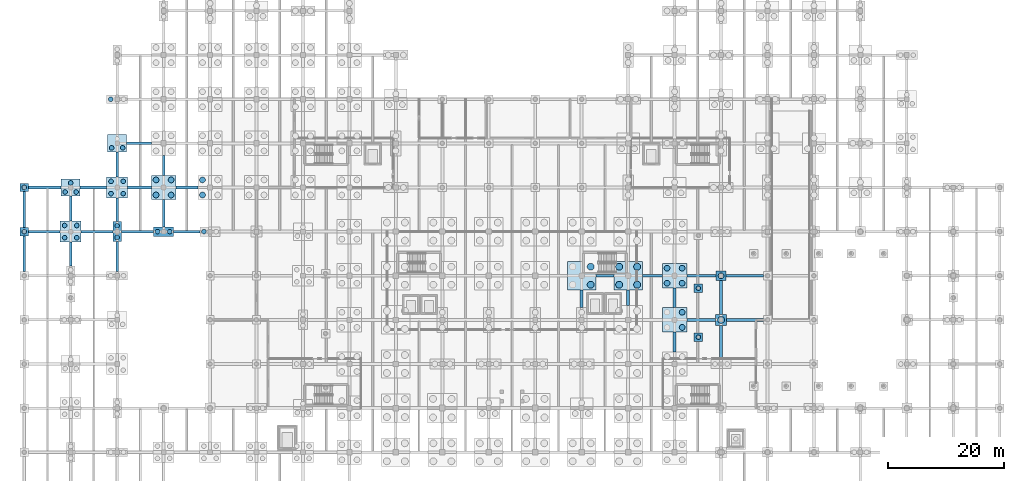
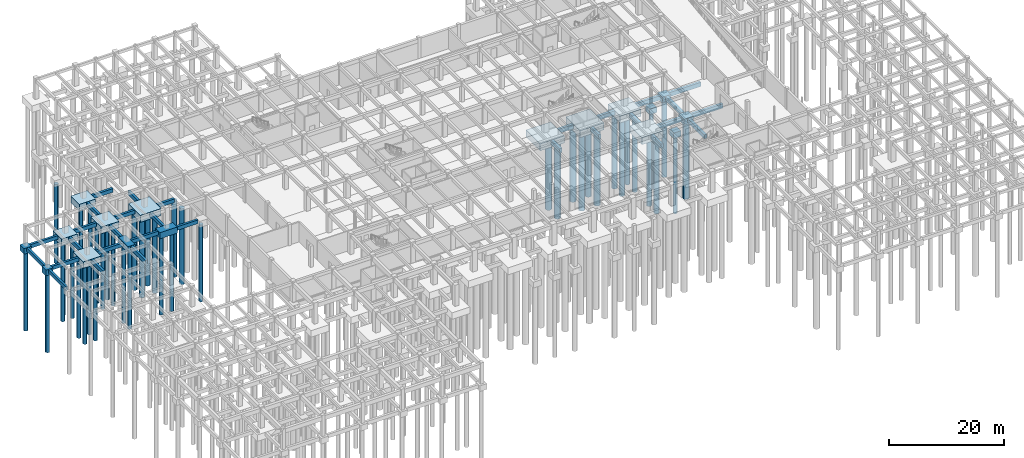
# One storey, part 7 of 49: 47 footings, 43 piles.
"""IFC4 building model written with IfcOpenShell, lengths in metres."""

import ifcopenshell
import ifcopenshell.guid

model = None  # the IFC model being written
_history = None  # IfcOwnerHistory: only IFC2X3 demands one
_inside = {}  # id of a spatial element -> (the spatial element, [elements in it])
_under = {}  # id of a project, library or spatial element -> (it, [spatial elements below it])
_declared = {}  # id of a project -> (the project, [libraries it declares])
_typed = {}  # id of a type object -> (the type object, [elements of that type])
_made_of = {}  # id of a material, layer set ... -> (it, [elements and type objects made of it])


def new_model(schema):
    """Start an empty IFC model of exactly this schema.

    Asked for "IFC4X3", IfcOpenShell would pick the latest addendum, in which some entities
    have other attributes; the version numbers below select the first issue.
    IFC2X3 requires an IfcOwnerHistory on every rooted entity: one is made here for all.
    """
    global model, _history
    if schema == "IFC4X3":
        model = ifcopenshell.file(schema_version=(4, 3, 0, 0))
    else:
        model = ifcopenshell.file(schema=schema)
    _inside.clear()
    _under.clear()
    _declared.clear()
    _typed.clear()
    _made_of.clear()
    _history = None
    if model.schema == "IFC2X3":
        org = make("IfcOrganization", Name="unknown")
        user = make(
            "IfcPersonAndOrganization",
            ThePerson=make("IfcPerson", FamilyName="unknown"),
            TheOrganization=org,
        )
        app = make(
            "IfcApplication",
            ApplicationDeveloper=org,
            Version="unknown",
            ApplicationFullName="unknown",
            ApplicationIdentifier="unknown",
        )
        _history = make(
            "IfcOwnerHistory",
            OwningUser=user,
            OwningApplication=app,
            ChangeAction="ADDED",
            CreationDate=0,
        )
    return model


def make(cls, **values):
    """One entity of the class cls with the attributes given. An attribute that is None is left unset."""
    return model.create_entity(
        cls, **{name: value for name, value in values.items() if value is not None}
    )


def rooted(cls, **values):
    """An entity with a GlobalId (a new one), such as an element, a storey or a relation."""
    return make(cls, GlobalId=ifcopenshell.guid.new(), OwnerHistory=_history, **values)


def si_unit(unit_type, name, prefix=None):
    """IfcSIUnit, for example si_unit("LENGTHUNIT", "METRE", prefix="MILLI")."""
    return make("IfcSIUnit", UnitType=unit_type, Prefix=prefix, Name=name)


def assignment(units):
    """IfcUnitAssignment: the units of a project."""
    return None if units is None else make("IfcUnitAssignment", Units=units)


def point(xyz):
    """IfcCartesianPoint."""
    return None if xyz is None else make("IfcCartesianPoint", Coordinates=xyz)


def direction(xyz):
    """IfcDirection."""
    return None if xyz is None else make("IfcDirection", DirectionRatios=xyz)


def frame(location, z_axis=None, x_axis=None):
    """IfcAxis2Placement3D, a coordinate frame: its origin and axes. An axis left out is left unset."""
    return make(
        "IfcAxis2Placement3D",
        Location=point(location),
        Axis=direction(z_axis),
        RefDirection=direction(x_axis),
    )


def frame_2d(location, x_axis=None):
    """IfcAxis2Placement2D, a coordinate frame in the plane: its origin and x axis."""
    return make(
        "IfcAxis2Placement2D", Location=point(location), RefDirection=direction(x_axis)
    )


def origin():
    """The frame at (0, 0, 0) with its axes left unset."""
    return frame((0.0, 0.0, 0.0))


def origin_2d():
    """The frame at (0, 0) in the plane with its x axis left unset."""
    return frame_2d((0.0, 0.0))


def place(relative_to, where):
    """IfcLocalPlacement: puts the frame where relative to a parent placement (None: the world)."""
    return make(
        "IfcLocalPlacement", PlacementRelTo=relative_to, RelativePlacement=where
    )


def context(
    kind, dimensions, precision=None, world=None, true_north=None, identifier=None
):
    """IfcGeometricRepresentationContext, for example the 3D "Model" context."""
    return make(
        "IfcGeometricRepresentationContext",
        ContextIdentifier=identifier,
        ContextType=kind,
        CoordinateSpaceDimension=dimensions,
        Precision=precision,
        WorldCoordinateSystem=world,
        TrueNorth=true_north,
    )


def subcontext(parent, identifier, kind, view, scale=None):
    """IfcGeometricRepresentationSubContext, for example "Body" below "Model"."""
    return make(
        "IfcGeometricRepresentationSubContext",
        ContextIdentifier=identifier,
        ContextType=kind,
        ParentContext=parent,
        TargetScale=scale,
        TargetView=view,
    )


def project(units=None, contexts=None):
    """IfcProject with its units and contexts."""
    return rooted(
        "IfcProject",
        Name="project",
        RepresentationContexts=contexts,
        UnitsInContext=assignment(units),
    )


def spatial(cls, under=None, at=None, **own):
    """A site, building, storey or space (cls), placed at a placement, below another one or the project."""
    s = rooted(cls, ObjectPlacement=at, **own)
    if under is not None:
        _under.setdefault(under.id(), (under, []))[1].append(s)
    return s


def profile(cls, at=None, kind="AREA", **sizes):
    """A parametric profile (cls). Its sizes go by their IFC names, for example OverallWidth=200.0."""
    return make(cls, ProfileType=kind, Position=at, **sizes)


def rectangle(**sizes):
    """IfcRectangleProfileDef."""
    return profile("IfcRectangleProfileDef", **sizes)


def circle(**sizes):
    """IfcCircleProfileDef."""
    return profile("IfcCircleProfileDef", **sizes)


def extrude(swept, where, along, depth):
    """IfcExtrudedAreaSolid: the profile swept, set in the frame where, extruded along a direction by depth."""
    return make(
        "IfcExtrudedAreaSolid",
        SweptArea=swept,
        Position=where,
        ExtrudedDirection=direction(along),
        Depth=depth,
    )


def shape(context_of_items, identifier, shape_type, items):
    """IfcShapeRepresentation: the items that make up one representation, for example the "Body"."""
    return make(
        "IfcShapeRepresentation",
        ContextOfItems=context_of_items,
        RepresentationIdentifier=identifier,
        RepresentationType=shape_type,
        Items=items,
    )


def material(Name=None, Category=None):
    """IfcMaterial."""
    return make("IfcMaterial", Name=Name, Category=Category)


def layer(
    of_material, thickness, ventilated=None, Name=None, Category=None, Priority=None
):
    """IfcMaterialLayer: one layer of a wall or slab, of a material (None: an air gap)."""
    return make(
        "IfcMaterialLayer",
        Material=of_material,
        LayerThickness=thickness,
        IsVentilated=ventilated,
        Name=Name,
        Category=Category,
        Priority=Priority,
    )


def layer_set(layers, Name=None):
    """IfcMaterialLayerSet."""
    return make("IfcMaterialLayerSet", MaterialLayers=layers, LayerSetName=Name)


def material_profile(
    of_material, cross_section, Name=None, Category=None, Priority=None
):
    """IfcMaterialProfile: a cross section and its material."""
    return make(
        "IfcMaterialProfile",
        Name=Name,
        Material=of_material,
        Profile=cross_section,
        Priority=Priority,
        Category=Category,
    )


def profile_set(profiles, Name=None, composite=None):
    """IfcMaterialProfileSet."""
    return make(
        "IfcMaterialProfileSet",
        Name=Name,
        MaterialProfiles=profiles,
        CompositeProfile=composite,
    )


def made_of(thing, what):
    """Note that an element or type object is made of a material, layer set ...; save() writes the relation."""
    if what is not None:
        _made_of.setdefault(what.id(), (what, []))[1].append(thing)
    return thing


def type_object(cls, material=None, **own):
    """A type object (cls), such as IfcWallType, which elements share."""
    return made_of(rooted(cls, **own), material)


def element(
    cls,
    number,
    at=None,
    inside=None,
    cuts=None,
    type_object=None,
    material=None,
    context=None,
    identifier="Body",
    shape_type=None,
    held_by="IfcProductDefinitionShape",
    body=None,
    shapes=None,
    **own,
):
    """One element of the class cls, such as IfcWall. Its Tag is "e" and its number.

    at: its placement. inside: the storey or other place that contains it. cuts: it is an
    opening in that element (IfcRelVoidsElement). A single representation is given by context,
    identifier, shape_type and body (its items); several are given by shapes. held_by: the class
    of the entity that holds the representations. save() writes the other relations.
    """
    e = rooted(cls, Tag="e%d" % number, ObjectPlacement=at, **own)
    if body is not None:
        shapes = [shape(context, identifier, shape_type, body)]
    if shapes is not None:
        e.Representation = make(held_by, Representations=shapes)
    if inside is not None:
        _inside.setdefault(inside.id(), (inside, []))[1].append(e)
    if cuts is not None:
        rooted(
            "IfcRelVoidsElement", RelatingBuildingElement=cuts, RelatedOpeningElement=e
        )
    if type_object is not None:
        _typed.setdefault(type_object.id(), (type_object, []))[1].append(e)
    return made_of(e, material)


def aggregate(whole, parts):
    """IfcRelAggregates: a whole, such as a stair, and the parts it consists of."""
    return rooted("IfcRelAggregates", RelatingObject=whole, RelatedObjects=parts)


def save(model, path):
    """Write the relations noted so far, then the file.

    IfcRelAggregates (storeys below a building ...), IfcRelContainedInSpatialStructure (elements
    in a storey), IfcRelDefinesByType, IfcRelAssociatesMaterial and IfcRelDeclares: one each for
    every whole, place, type object, material and project.
    """
    for whole, parts in _under.values():
        aggregate(whole, parts)
    for where, things in _inside.values():
        rooted(
            "IfcRelContainedInSpatialStructure",
            RelatedElements=things,
            RelatingStructure=where,
        )
    for kind, things in _typed.values():
        rooted("IfcRelDefinesByType", RelatedObjects=things, RelatingType=kind)
    for what, things in _made_of.values():
        rooted("IfcRelAssociatesMaterial", RelatedObjects=things, RelatingMaterial=what)
    for by, libraries in _declared.values():
        rooted("IfcRelDeclares", RelatingContext=by, RelatedDefinitions=libraries)
    model.write(path)


model = new_model("IFC4")

# Units and contexts
model_context = context("Model", 3, precision=1e-05, world=origin(), true_north=direction((0.0, 1.0)))
body_context = subcontext(model_context, "Body", "Model", "MODEL_VIEW")
ifc_project = project(units=[si_unit("LENGTHUNIT", "METRE"), si_unit("AREAUNIT", "SQUARE_METRE"), si_unit("VOLUMEUNIT", "CUBIC_METRE"), si_unit("PLANEANGLEUNIT", "RADIAN"), si_unit("MASSUNIT", "GRAM", prefix="KILO")], contexts=[model_context])

# Site, building, storey
site_placement = place(None, origin())
site = spatial("IfcSite", under=ifc_project, at=site_placement, CompositionType="ELEMENT")
building_placement = place(site_placement, origin())
building = spatial("IfcBuilding", under=site, at=building_placement, Name="Zantavel Square City Hall", CompositionType="ELEMENT")
storey_placement = place(building_placement, frame((0.0, 0.0, -4.5)))
storey = spatial("IfcBuildingStorey", under=building, at=storey_placement, Name="B1", CompositionType="ELEMENT", Elevation=-4.5)

# Piles
ifc_material_1 = material(Name="Concrete C35/45", Category="concrete")
ifc_material_profile_1 = material_profile(ifc_material_1, circle(Radius=0.5, at=origin_2d()), Name="PILE D1000")
ifc_profile_set_1 = profile_set([ifc_material_profile_1], Name="Concrete C35/45")
pile_type_1 = type_object("IfcPileType", Name="Bored Pile D1000 Concrete C35/45", PredefinedType="BORED", material=ifc_profile_set_1)
for number, where, z_axis, x_axis, name in (
    (1, (22.699951171875, 74.699951171875, -1.39990234375), (0.0, 0.0, -1.0), (1.0, 0.0, 0.0), "Bored Pile FDN-PL-0240-0760-1"),
    (2, (25.300048828125, 74.699951171875, -1.39990234375), (0.0, 0.0, -1.0), (1.0, 0.0, 0.0), "Bored Pile FDN-PL-0240-0760-2"),
    (3, (22.699951171875, 77.300048828125, -1.39990234375), (0.0, 0.0, -1.0), (1.0, 0.0, 0.0), "Bored Pile FDN-PL-0240-0760-3"),
    (4, (25.300048828125, 77.300048828125, -1.39990234375), (0.0, 0.0, -1.0), (1.0, 0.0, 0.0), "Bored Pile FDN-PL-0240-0760-4"),
):
    element("IfcPile", number, at=place(storey_placement, frame(where, z_axis=z_axis, x_axis=x_axis)), inside=storey, type_object=pile_type_1, Name=name, PredefinedType="BORED", context=body_context, shape_type="SweptSolid", body=[
        extrude(circle(Radius=0.5, at=origin_2d()), origin(), (0.0, 0.0, 1.0), 16.60009765625),
    ])
for number, where, z_axis, x_axis, name in (
    (5, (30.699951171875, 74.699951171875, -1.800048828125), (0.0, 0.0, -1.0), (1.0, 0.0, 0.0), "Bored Pile FDN-PL-0320-0760-1"),
    (6, (30.699951171875, 77.300048828125, -1.800048828125), (0.0, 0.0, -1.0), (1.0, 0.0, 0.0), "Bored Pile FDN-PL-0320-0760-3"),
    (7, (113.300048828125, 51.89990234375, -1.800048828125), (0.0, 0.0, -1.0), (1.0, 0.0, 0.0), "Bored Pile FDN-PL-1120-0532-2"),
    (8, (113.300048828125, 54.5, -1.800048828125), (0.0, 0.0, -1.0), (1.0, 0.0, 0.0), "Bored Pile FDN-PL-1120-0532-4"),
    (9, (110.699951171875, 59.5, -1.800048828125), (0.0, 0.0, -1.0), (1.0, 0.0, 0.0), "Bored Pile FDN-PL-1120-0608-1"),
    (10, (113.300048828125, 59.5, -1.800048828125), (0.0, 0.0, -1.0), (1.0, 0.0, 0.0), "Bored Pile FDN-PL-1120-0608-2"),
    (11, (110.699951171875, 62.10009765625, -1.800048828125), (0.0, 0.0, -1.0), (1.0, 0.0, 0.0), "Bored Pile FDN-PL-1120-0608-3"),
    (12, (113.300048828125, 62.10009765625, -1.800048828125), (0.0, 0.0, -1.0), (1.0, 0.0, 0.0), "Bored Pile FDN-PL-1120-0608-4"),
):
    element("IfcPile", number, at=place(storey_placement, frame(where, z_axis=z_axis, x_axis=x_axis)), inside=storey, type_object=pile_type_1, Name=name, PredefinedType="BORED", context=body_context, shape_type="SweptSolid", body=[
        extrude(circle(Radius=0.5, at=origin_2d()), origin(), (0.0, 0.0, 1.0), 16.199951171875),
    ])
pile_1_placement = place(storey_placement, frame((120.0, 60.800048828125, -1.550048828125), z_axis=(0.0, 0.0, -1.0), x_axis=(1.0, 0.0, 0.0)))
element("IfcPile", 13, at=pile_1_placement, inside=storey, type_object=pile_type_1, Name="Bored Pile FDN-PL-1200-0608-1", PredefinedType="BORED", context=body_context, shape_type="SweptSolid", body=[
    extrude(circle(Radius=0.5, at=origin_2d()), origin(), (0.0, 0.0, 1.0), 16.449951171875),
])
ifc_material_profile_2 = material_profile(ifc_material_1, circle(Radius=0.60009765625, at=origin_2d()), Name="PILE D1200")
ifc_profile_set_2 = profile_set([ifc_material_profile_2], Name="Concrete C35/45")
pile_type_2 = type_object("IfcPileType", Name="Bored Pile D1200 Concrete C35/45", PredefinedType="BORED", material=ifc_profile_set_2)
for number, where, z_axis, x_axis, name in (
    (14, (97.550048828125, 59.25, -1.800048828125), (0.0, 0.0, -1.0), (1.0, 0.0, 0.0), "Bored Pile FDN-PL-0960-0608-2"),
    (15, (97.550048828125, 62.35009765625, -1.800048828125), (0.0, 0.0, -1.0), (1.0, 0.0, 0.0), "Bored Pile FDN-PL-0960-0608-4"),
    (16, (102.449951171875, 59.25, -1.800048828125), (0.0, 0.0, -1.0), (1.0, 0.0, 0.0), "Bored Pile FDN-PL-1040-0608-1"),
    (17, (105.550048828125, 59.25, -1.800048828125), (0.0, 0.0, -1.0), (1.0, 0.0, 0.0), "Bored Pile FDN-PL-1040-0608-2"),
    (18, (102.449951171875, 62.35009765625, -1.800048828125), (0.0, 0.0, -1.0), (1.0, 0.0, 0.0), "Bored Pile FDN-PL-1040-0608-3"),
    (19, (105.550048828125, 62.35009765625, -1.800048828125), (0.0, 0.0, -1.0), (1.0, 0.0, 0.0), "Bored Pile FDN-PL-1040-0608-4"),
):
    element("IfcPile", number, at=place(storey_placement, frame(where, z_axis=z_axis, x_axis=x_axis)), inside=storey, type_object=pile_type_2, Name=name, PredefinedType="BORED", context=body_context, shape_type="SweptSolid", body=[
        extrude(circle(Radius=0.60009765625, at=origin_2d()), origin(), (0.0, 0.0, 1.0), 16.199951171875),
    ])
pile_2_placement = place(storey_placement, frame((120.0, 53.199951171875, -1.60009765625), z_axis=(0.0, 0.0, -1.0), x_axis=(1.0, 0.0, 0.0)))
element("IfcPile", 20, at=pile_2_placement, inside=storey, type_object=pile_type_2, Name="Bored Pile FDN-PL-1200-0532-1", PredefinedType="BORED", context=body_context, shape_type="SweptSolid", body=[
    extrude(circle(Radius=0.60009765625, at=origin_2d()), origin(), (0.0, 0.0, 1.0), 16.39990234375),
])
ifc_material_profile_3 = material_profile(ifc_material_1, circle(Radius=0.39990234375, at=origin_2d()), Name="PILE D800")
ifc_profile_set_3 = profile_set([ifc_material_profile_3], Name="Concrete C35/45")
pile_type_3 = type_object("IfcPileType", Name="Bored Pile D800 Concrete C35/45", PredefinedType="BORED", material=ifc_profile_set_3)
for number, where, z_axis, x_axis, name in (
    (21, (0.0, 68.39990234375, -1.10009765625), (0.0, 0.0, -1.0), (1.0, 0.0, 0.0), "Bored Pile FDN-PL-0000-0684-1"),
    (22, (0.0, 76.0, -1.10009765625), (0.0, 0.0, -1.0), (1.0, 0.0, 0.0), "Bored Pile FDN-PL-0000-0760-1"),
):
    element("IfcPile", number, at=place(storey_placement, frame(where, z_axis=z_axis, x_axis=x_axis)), inside=storey, type_object=pile_type_3, Name=name, PredefinedType="BORED", context=body_context, shape_type="SweptSolid", body=[
        extrude(circle(Radius=0.39990234375, at=origin_2d()), origin(), (0.0, 0.0, 1.0), 16.89990234375),
    ])
for number, where, z_axis, x_axis, name in (
    (23, (6.949951171875, 67.35009765625, -1.300048828125), (0.0, 0.0, -1.0), (1.0, 0.0, 0.0), "Bored Pile FDN-PL-0080-0684-1"),
    (24, (9.050048828125, 67.35009765625, -1.300048828125), (0.0, 0.0, -1.0), (1.0, 0.0, 0.0), "Bored Pile FDN-PL-0080-0684-2"),
    (25, (6.949951171875, 69.449951171875, -1.300048828125), (0.0, 0.0, -1.0), (1.0, 0.0, 0.0), "Bored Pile FDN-PL-0080-0684-3"),
    (26, (9.050048828125, 69.449951171875, -1.300048828125), (0.0, 0.0, -1.0), (1.0, 0.0, 0.0), "Bored Pile FDN-PL-0080-0684-4"),
):
    element("IfcPile", number, at=place(storey_placement, frame(where, z_axis=z_axis, x_axis=x_axis)), inside=storey, type_object=pile_type_3, Name=name, PredefinedType="BORED", context=body_context, shape_type="SweptSolid", body=[
        extrude(circle(Radius=0.39990234375, at=origin_2d()), origin(), (0.0, 0.0, 1.0), 16.699951171875),
    ])
for number, where, z_axis, x_axis, name in (
    (27, (7.050048828125, 75.219970703125, -1.25), (0.0, 0.0, -1.0), (1.0, 0.0, 0.0), "Bored Pile FDN-PL-0080-0760-1"),
    (28, (8.949951171875, 75.219970703125, -1.25), (0.0, 0.0, -1.0), (1.0, 0.0, 0.0), "Bored Pile FDN-PL-0080-0760-2"),
    (29, (8.0, 76.780029296875, -1.25), (0.0, 0.0, -1.0), (1.0, 0.0, 0.0), "Bored Pile FDN-PL-0080-0760-3"),
):
    element("IfcPile", number, at=place(storey_placement, frame(where, z_axis=z_axis, x_axis=x_axis)), inside=storey, type_object=pile_type_3, Name=name, PredefinedType="BORED", context=body_context, shape_type="SweptSolid", body=[
        extrude(circle(Radius=0.39990234375, at=origin_2d()), origin(), (0.0, 0.0, 1.0), 16.75),
    ])
for number, where, z_axis, x_axis, name in (
    (30, (16.0, 67.39990234375, -1.199951171875), (0.0, 0.0, -1.0), (1.0, 0.0, 0.0), "Bored Pile FDN-PL-0160-0684-1"),
    (31, (16.0, 69.39990234375, -1.199951171875), (0.0, 0.0, -1.0), (1.0, 0.0, 0.0), "Bored Pile FDN-PL-0160-0684-2"),
):
    element("IfcPile", number, at=place(storey_placement, frame(where, z_axis=z_axis, x_axis=x_axis)), inside=storey, type_object=pile_type_3, Name=name, PredefinedType="BORED", context=body_context, shape_type="SweptSolid", body=[
        extrude(circle(Radius=0.39990234375, at=origin_2d()), origin(), (0.0, 0.0, 1.0), 16.800048828125),
    ])
for number, where, z_axis, x_axis, name in (
    (32, (14.949951171875, 74.949951171875, -1.300048828125), (0.0, 0.0, -1.0), (1.0, 0.0, 0.0), "Bored Pile FDN-PL-0160-0760-1"),
    (33, (17.050048828125, 74.949951171875, -1.300048828125), (0.0, 0.0, -1.0), (1.0, 0.0, 0.0), "Bored Pile FDN-PL-0160-0760-2"),
    (34, (14.949951171875, 77.050048828125, -1.300048828125), (0.0, 0.0, -1.0), (1.0, 0.0, 0.0), "Bored Pile FDN-PL-0160-0760-3"),
    (35, (17.050048828125, 77.050048828125, -1.300048828125), (0.0, 0.0, -1.0), (1.0, 0.0, 0.0), "Bored Pile FDN-PL-0160-0760-4"),
):
    element("IfcPile", number, at=place(storey_placement, frame(where, z_axis=z_axis, x_axis=x_axis)), inside=storey, type_object=pile_type_3, Name=name, PredefinedType="BORED", context=body_context, shape_type="SweptSolid", body=[
        extrude(circle(Radius=0.39990234375, at=origin_2d()), origin(), (0.0, 0.0, 1.0), 16.699951171875),
    ])
for number, where, z_axis, x_axis, name in (
    (36, (15.050048828125, 82.820068359375, -1.25), (0.0, 0.0, -1.0), (1.0, 0.0, 0.0), "Bored Pile FDN-PL-0160-0836-1"),
    (37, (16.949951171875, 82.820068359375, -1.25), (0.0, 0.0, -1.0), (1.0, 0.0, 0.0), "Bored Pile FDN-PL-0160-0836-2"),
):
    element("IfcPile", number, at=place(storey_placement, frame(where, z_axis=z_axis, x_axis=x_axis)), inside=storey, type_object=pile_type_3, Name=name, PredefinedType="BORED", context=body_context, shape_type="SweptSolid", body=[
        extrude(circle(Radius=0.39990234375, at=origin_2d()), origin(), (0.0, 0.0, 1.0), 16.75),
    ])
for number, where, z_axis, x_axis, name in (
    (38, (14.89990234375, 91.199951171875, -1.199951171875), (0.0, 0.0, -1.0), (1.0, 0.0, 0.0), "Bored Pile FDN-PL-0160-0912-1"),
    (39, (22.949951171875, 68.39990234375, -1.199951171875), (0.0, 0.0, -1.0), (1.0, 0.0, 0.0), "Bored Pile FDN-PL-0240-0684-1"),
    (40, (25.050048828125, 68.39990234375, -1.199951171875), (0.0, 0.0, -1.0), (1.0, 0.0, 0.0), "Bored Pile FDN-PL-0240-0684-2"),
):
    element("IfcPile", number, at=place(storey_placement, frame(where, z_axis=z_axis, x_axis=x_axis)), inside=storey, type_object=pile_type_3, Name=name, PredefinedType="BORED", context=body_context, shape_type="SweptSolid", body=[
        extrude(circle(Radius=0.39990234375, at=origin_2d()), origin(), (0.0, 0.0, 1.0), 16.800048828125),
    ])
pile_3_placement = place(storey_placement, frame((30.949951171875, 68.39990234375, -1.60009765625), z_axis=(0.0, 0.0, -1.0), x_axis=(1.0, 0.0, 0.0)))
element("IfcPile", 41, at=pile_3_placement, inside=storey, type_object=pile_type_3, Name="Bored Pile FDN-PL-0320-0684-1", PredefinedType="BORED", context=body_context, shape_type="SweptSolid", body=[
    extrude(circle(Radius=0.39990234375, at=origin_2d()), origin(), (0.0, 0.0, 1.0), 16.39990234375),
])
for number, where, z_axis, x_axis, name in (
    (42, (116.10009765625, 50.22509765625, -1.5), (0.0, 0.0, -1.0), (1.0, 0.0, 0.0), "Terrace Stair Loggia Bored Pile 1"),
    (43, (116.10009765625, 58.659912109375, -1.5), (0.0, 0.0, -1.0), (1.0, 0.0, 0.0), "Terrace Stair Loggia Bored Pile 2"),
):
    element("IfcPile", number, at=place(storey_placement, frame(where, z_axis=z_axis, x_axis=x_axis)), inside=storey, type_object=pile_type_3, Name=name, PredefinedType="BORED", context=body_context, shape_type="SweptSolid", body=[
        extrude(circle(Radius=0.39990234375, at=origin_2d()), origin(), (0.0, 0.0, 1.0), 16.5),
    ])

# Footings
ifc_material_profile_4 = material_profile(ifc_material_1, rectangle(XDim=0.449951171875, YDim=0.800048828125, at=origin_2d()), Name="RC 450x800")
ifc_profile_set_4 = profile_set([ifc_material_profile_4], Name="Concrete C35/45")
footing_type_1 = type_object("IfcFootingType", Name="Courtyard Grade Tie Beam 450x800 C35/45", PredefinedType="FOOTING_BEAM", material=ifc_profile_set_4)
footing_1_placement = place(storey_placement, frame((0.0, 61.52490234375, -0.39990234375), z_axis=(0.0, 1.0, 0.0), x_axis=(-1.0, 0.0, 0.0)))
element("IfcFooting", 44, at=footing_1_placement, inside=storey, type_object=footing_type_1, Name="Grade Tie Beam FDN-GTBY-0000-0608", PredefinedType="FOOTING_BEAM", context=body_context, shape_type="SweptSolid", body=[
    extrude(rectangle(XDim=0.449951171875, YDim=0.800048828125, at=origin_2d()), origin(), (0.0, 0.0, 1.0), 6.150146484375),
])
footing_2_placement = place(storey_placement, frame((0.72509765625, 68.39990234375, -0.39990234375), z_axis=(1.0, 0.0, 0.0), x_axis=(0.0, 1.0, 0.0)))
element("IfcFooting", 45, at=footing_2_placement, inside=storey, type_object=footing_type_1, Name="Grade Tie Beam FDN-GTBX-0000-0684", PredefinedType="FOOTING_BEAM", context=body_context, shape_type="SweptSolid", body=[
    extrude(rectangle(XDim=0.449951171875, YDim=0.800048828125, at=origin_2d()), origin(), (0.0, 0.0, 1.0), 5.474853515625),
])
footing_3_placement = place(storey_placement, frame((0.0, 69.125, -0.39990234375), z_axis=(0.0, 1.0, 0.0), x_axis=(-1.0, 0.0, 0.0)))
element("IfcFooting", 46, at=footing_3_placement, inside=storey, type_object=footing_type_1, Name="Grade Tie Beam FDN-GTBY-0000-0684", PredefinedType="FOOTING_BEAM", context=body_context, shape_type="SweptSolid", body=[
    extrude(rectangle(XDim=0.449951171875, YDim=0.800048828125, at=origin_2d()), origin(), (0.0, 0.0, 1.0), 6.14990234375),
])
footing_4_placement = place(storey_placement, frame((0.72509765625, 76.0, -0.39990234375), z_axis=(1.0, 0.0, 0.0), x_axis=(0.0, 1.0, 0.0)))
element("IfcFooting", 47, at=footing_4_placement, inside=storey, type_object=footing_type_1, Name="Grade Tie Beam FDN-GTBX-0000-0760", PredefinedType="FOOTING_BEAM", context=body_context, shape_type="SweptSolid", body=[
    extrude(rectangle(XDim=0.449951171875, YDim=0.800048828125, at=origin_2d()), origin(), (0.0, 0.0, 1.0), 5.625),
])
footing_5_placement = place(storey_placement, frame((8.0, 62.5, -0.39990234375), z_axis=(0.0, 1.0, 0.0), x_axis=(-1.0, 0.0, 0.0)))
element("IfcFooting", 48, at=footing_5_placement, inside=storey, type_object=footing_type_1, Name="Grade Tie Beam FDN-GTBY-0080-0608", PredefinedType="FOOTING_BEAM", context=body_context, shape_type="SweptSolid", body=[
    extrude(rectangle(XDim=0.449951171875, YDim=0.800048828125, at=origin_2d()), origin(), (0.0, 0.0, 1.0), 4.10009765625),
])
footing_6_placement = place(storey_placement, frame((9.800048828125, 68.39990234375, -0.39990234375), z_axis=(1.0, 0.0, 0.0), x_axis=(0.0, 1.0, 0.0)))
element("IfcFooting", 49, at=footing_6_placement, inside=storey, type_object=footing_type_1, Name="Grade Tie Beam FDN-GTBX-0080-0684", PredefinedType="FOOTING_BEAM", context=body_context, shape_type="SweptSolid", body=[
    extrude(rectangle(XDim=0.449951171875, YDim=0.800048828125, at=origin_2d()), origin(), (0.0, 0.0, 1.0), 5.449951171875),
])
footing_7_placement = place(storey_placement, frame((8.0, 70.199951171875, -0.39990234375), z_axis=(0.0, 1.0, 0.0), x_axis=(-1.0, 0.0, 0.0)))
element("IfcFooting", 50, at=footing_7_placement, inside=storey, type_object=footing_type_1, Name="Grade Tie Beam FDN-GTBY-0080-0684", PredefinedType="FOOTING_BEAM", context=body_context, shape_type="SweptSolid", body=[
    extrude(rectangle(XDim=0.449951171875, YDim=0.800048828125, at=origin_2d()), origin(), (0.0, 0.0, 1.0), 4.300048828125),
])
footing_8_placement = place(storey_placement, frame((9.64990234375, 76.0, -0.39990234375), z_axis=(1.0, 0.0, 0.0), x_axis=(0.0, 1.0, 0.0)))
element("IfcFooting", 51, at=footing_8_placement, inside=storey, type_object=footing_type_1, Name="Grade Tie Beam FDN-GTBX-0080-0760", PredefinedType="FOOTING_BEAM", context=body_context, shape_type="SweptSolid", body=[
    extrude(rectangle(XDim=0.449951171875, YDim=0.800048828125, at=origin_2d()), origin(), (0.0, 0.0, 1.0), 4.550048828125),
])
footing_9_placement = place(storey_placement, frame((16.0, 61.550048828125, -0.39990234375), z_axis=(0.0, 1.0, 0.0), x_axis=(-1.0, 0.0, 0.0)))
element("IfcFooting", 52, at=footing_9_placement, inside=storey, type_object=footing_type_1, Name="Grade Tie Beam FDN-GTBY-0160-0608", PredefinedType="FOOTING_BEAM", context=body_context, shape_type="SweptSolid", body=[
    extrude(rectangle(XDim=0.449951171875, YDim=0.800048828125, at=origin_2d()), origin(), (0.0, 0.0, 1.0), 5.14990234375),
])
footing_10_placement = place(storey_placement, frame((16.75, 68.39990234375, -0.39990234375), z_axis=(1.0, 0.0, 0.0), x_axis=(0.0, 1.0, 0.0)))
element("IfcFooting", 53, at=footing_10_placement, inside=storey, type_object=footing_type_1, Name="Grade Tie Beam FDN-GTBX-0160-0684", PredefinedType="FOOTING_BEAM", context=body_context, shape_type="SweptSolid", body=[
    extrude(rectangle(XDim=0.449951171875, YDim=0.800048828125, at=origin_2d()), origin(), (0.0, 0.0, 1.0), 5.5),
])
for number, where, z_axis, x_axis, name in (
    (54, (16.0, 70.10009765625, -0.39990234375), (0.0, 1.0, 0.0), (-1.0, 0.0, 0.0), "Grade Tie Beam FDN-GTBY-0160-0684"),
    (55, (17.800048828125, 76.0, -0.39990234375), (1.0, 0.0, 0.0), (0.0, 1.0, 0.0), "Grade Tie Beam FDN-GTBX-0160-0760"),
):
    element("IfcFooting", number, at=place(storey_placement, frame(where, z_axis=z_axis, x_axis=x_axis)), inside=storey, type_object=footing_type_1, Name=name, PredefinedType="FOOTING_BEAM", context=body_context, shape_type="SweptSolid", body=[
        extrude(rectangle(XDim=0.449951171875, YDim=0.800048828125, at=origin_2d()), origin(), (0.0, 0.0, 1.0), 4.099853515625),
    ])
footing_11_placement = place(storey_placement, frame((16.0, 77.800048828125, -0.39990234375), z_axis=(0.0, 1.0, 0.0), x_axis=(-1.0, 0.0, 0.0)))
element("IfcFooting", 56, at=footing_11_placement, inside=storey, type_object=footing_type_1, Name="Grade Tie Beam FDN-GTBY-0160-0760", PredefinedType="FOOTING_BEAM", context=body_context, shape_type="SweptSolid", body=[
    extrude(rectangle(XDim=0.449951171875, YDim=0.800048828125, at=origin_2d()), origin(), (0.0, 0.0, 1.0), 4.300048828125),
])
footing_12_placement = place(storey_placement, frame((17.64990234375, 83.60009765625, -0.39990234375), z_axis=(1.0, 0.0, 0.0), x_axis=(0.0, 1.0, 0.0)))
element("IfcFooting", 57, at=footing_12_placement, inside=storey, type_object=footing_type_1, Name="Grade Tie Beam FDN-GTBX-0160-0836", PredefinedType="FOOTING_BEAM", context=body_context, shape_type="SweptSolid", body=[
    extrude(rectangle(XDim=0.449951171875, YDim=0.800048828125, at=origin_2d()), origin(), (0.0, 0.0, 1.0), 4.25),
])
footing_13_placement = place(storey_placement, frame((25.75, 68.39990234375, -0.800048828125), z_axis=(1.0, 0.0, 0.0), x_axis=(0.0, 1.0, 0.0)))
element("IfcFooting", 58, at=footing_13_placement, inside=storey, type_object=footing_type_1, Name="Grade Tie Beam FDN-GTBX-0240-0684", PredefinedType="FOOTING_BEAM", context=body_context, shape_type="SweptSolid", body=[
    extrude(rectangle(XDim=0.449951171875, YDim=0.800048828125, at=origin_2d()), origin(), (0.0, 0.0, 1.0), 4.5),
])
footing_14_placement = place(storey_placement, frame((24.0, 69.199951171875, -0.39990234375), z_axis=(0.0, 1.0, 0.0), x_axis=(-1.0, 0.0, 0.0)))
element("IfcFooting", 59, at=footing_14_placement, inside=storey, type_object=footing_type_1, Name="Grade Tie Beam FDN-GTBY-0240-0684", PredefinedType="FOOTING_BEAM", context=body_context, shape_type="SweptSolid", body=[
    extrude(rectangle(XDim=0.449951171875, YDim=0.800048828125, at=origin_2d()), origin(), (0.0, 0.0, 1.0), 4.699951171875),
])
footing_15_placement = place(storey_placement, frame((26.10009765625, 76.0, -0.800048828125), z_axis=(1.0, 0.0, 0.0), x_axis=(0.0, 1.0, 0.0)))
element("IfcFooting", 60, at=footing_15_placement, inside=storey, type_object=footing_type_1, Name="Grade Tie Beam FDN-GTBX-0240-0760", PredefinedType="FOOTING_BEAM", context=body_context, shape_type="SweptSolid", body=[
    extrude(rectangle(XDim=0.449951171875, YDim=0.800048828125, at=origin_2d()), origin(), (0.0, 0.0, 1.0), 3.7998046875),
])
footing_16_placement = place(storey_placement, frame((24.0, 78.10009765625, -0.39990234375), z_axis=(0.0, 1.0, 0.0), x_axis=(-1.0, 0.0, 0.0)))
element("IfcFooting", 61, at=footing_16_placement, inside=storey, type_object=footing_type_1, Name="Grade Tie Beam FDN-GTBY-0240-0760", PredefinedType="FOOTING_BEAM", context=body_context, shape_type="SweptSolid", body=[
    extrude(rectangle(XDim=0.449951171875, YDim=0.800048828125, at=origin_2d()), origin(), (0.0, 0.0, 1.0), 3.39990234375),
])
ifc_material_profile_5 = material_profile(ifc_material_1, rectangle(XDim=0.5, YDim=0.89990234375, at=origin_2d()), Name="RC 500x900")
ifc_profile_set_5 = profile_set([ifc_material_profile_5], Name="Concrete C35/45")
footing_type_2 = type_object("IfcFootingType", Name="Grade Tie Beam 500x900 Concrete C35/45", PredefinedType="FOOTING_BEAM", material=ifc_profile_set_5)
footing_17_placement = place(storey_placement, frame((96.0, 55.35009765625, -0.85009765625), z_axis=(0.0, 1.0, 0.0), x_axis=(-1.0, 0.0, 0.0)))
element("IfcFooting", 62, at=footing_17_placement, inside=storey, type_object=footing_type_2, Name="Grade Tie Beam FDN-GTBY-0960-0532", PredefinedType="FOOTING_BEAM", context=body_context, shape_type="SweptSolid", body=[
    extrude(rectangle(XDim=0.5, YDim=0.89990234375, at=origin_2d()), origin(), (0.0, 0.0, 1.0), 3.0),
])
footing_18_placement = place(storey_placement, frame((98.449951171875, 60.800048828125, -0.85009765625), z_axis=(1.0, 0.0, 0.0), x_axis=(0.0, 1.0, 0.0)))
element("IfcFooting", 63, at=footing_18_placement, inside=storey, type_object=footing_type_2, Name="Grade Tie Beam FDN-GTBX-0960-0608", PredefinedType="FOOTING_BEAM", context=body_context, shape_type="SweptSolid", body=[
    extrude(rectangle(XDim=0.5, YDim=0.89990234375, at=origin_2d()), origin(), (0.0, 0.0, 1.0), 3.10009765625),
])
footing_19_placement = place(storey_placement, frame((104.0, 55.64990234375, -0.85009765625), z_axis=(0.0, 1.0, 0.0), x_axis=(-1.0, 0.0, 0.0)))
element("IfcFooting", 64, at=footing_19_placement, inside=storey, type_object=footing_type_2, Name="Grade Tie Beam FDN-GTBY-1040-0532", PredefinedType="FOOTING_BEAM", context=body_context, shape_type="SweptSolid", body=[
    extrude(rectangle(XDim=0.5, YDim=0.89990234375, at=origin_2d()), origin(), (0.0, 0.0, 1.0), 2.7001953125),
])
footing_20_placement = place(storey_placement, frame((106.449951171875, 60.800048828125, -0.85009765625), z_axis=(1.0, 0.0, 0.0), x_axis=(0.0, 1.0, 0.0)))
element("IfcFooting", 65, at=footing_20_placement, inside=storey, type_object=footing_type_2, Name="Grade Tie Beam FDN-GTBX-1040-0608", PredefinedType="FOOTING_BEAM", context=body_context, shape_type="SweptSolid", body=[
    extrude(rectangle(XDim=0.5, YDim=0.89990234375, at=origin_2d()), origin(), (0.0, 0.0, 1.0), 3.449951171875),
])
footing_21_placement = place(storey_placement, frame((112.0, 47.699951171875, -0.85009765625), z_axis=(0.0, 1.0, 0.0), x_axis=(-1.0, 0.0, 0.0)))
element("IfcFooting", 66, at=footing_21_placement, inside=storey, type_object=footing_type_2, Name="Grade Tie Beam FDN-GTBY-1120-0456", PredefinedType="FOOTING_BEAM", context=body_context, shape_type="SweptSolid", body=[
    extrude(rectangle(XDim=0.5, YDim=0.89990234375, at=origin_2d()), origin(), (0.0, 0.0, 1.0), 3.400146484375),
])
footing_22_placement = place(storey_placement, frame((114.10009765625, 53.199951171875, -0.85009765625), z_axis=(1.0, 0.0, 0.0), x_axis=(0.0, 1.0, 0.0)))
element("IfcFooting", 67, at=footing_22_placement, inside=storey, type_object=footing_type_2, Name="Grade Tie Beam FDN-GTBX-1120-0532", PredefinedType="FOOTING_BEAM", context=body_context, shape_type="SweptSolid", body=[
    extrude(rectangle(XDim=0.5, YDim=0.89990234375, at=origin_2d()), origin(), (0.0, 0.0, 1.0), 4.949951171875),
])
footing_23_placement = place(storey_placement, frame((112.0, 55.300048828125, -0.85009765625), z_axis=(0.0, 1.0, 0.0), x_axis=(-1.0, 0.0, 0.0)))
element("IfcFooting", 68, at=footing_23_placement, inside=storey, type_object=footing_type_2, Name="Grade Tie Beam FDN-GTBY-1120-0532", PredefinedType="FOOTING_BEAM", context=body_context, shape_type="SweptSolid", body=[
    extrude(rectangle(XDim=0.5, YDim=0.89990234375, at=origin_2d()), origin(), (0.0, 0.0, 1.0), 3.39990234375),
])
footing_24_placement = place(storey_placement, frame((114.10009765625, 60.800048828125, -0.85009765625), z_axis=(1.0, 0.0, 0.0), x_axis=(0.0, 1.0, 0.0)))
element("IfcFooting", 69, at=footing_24_placement, inside=storey, type_object=footing_type_2, Name="Grade Tie Beam FDN-GTBX-1120-0608", PredefinedType="FOOTING_BEAM", context=body_context, shape_type="SweptSolid", body=[
    extrude(rectangle(XDim=0.5, YDim=0.89990234375, at=origin_2d()), origin(), (0.0, 0.0, 1.0), 5.0498046875),
])
footing_25_placement = place(storey_placement, frame((120.0, 46.39990234375, -0.85009765625), z_axis=(0.0, 1.0, 0.0), x_axis=(-1.0, 0.0, 0.0)))
element("IfcFooting", 70, at=footing_25_placement, inside=storey, type_object=footing_type_2, Name="Grade Tie Beam FDN-GTBY-1200-0456", PredefinedType="FOOTING_BEAM", context=body_context, shape_type="SweptSolid", body=[
    extrude(rectangle(XDim=0.5, YDim=0.89990234375, at=origin_2d()), origin(), (0.0, 0.0, 1.0), 5.85009765625),
])
footing_26_placement = place(storey_placement, frame((120.949951171875, 53.199951171875, -0.85009765625), z_axis=(1.0, 0.0, 0.0), x_axis=(0.0, 1.0, 0.0)))
element("IfcFooting", 71, at=footing_26_placement, inside=storey, type_object=footing_type_2, Name="Grade Tie Beam FDN-GTBX-1200-0532", PredefinedType="FOOTING_BEAM", context=body_context, shape_type="SweptSolid", body=[
    extrude(rectangle(XDim=0.5, YDim=0.89990234375, at=origin_2d()), origin(), (0.0, 0.0, 1.0), 6.324951171875),
])
footing_27_placement = place(storey_placement, frame((120.0, 54.14990234375, -0.85009765625), z_axis=(0.0, 1.0, 0.0), x_axis=(-1.0, 0.0, 0.0)))
element("IfcFooting", 72, at=footing_27_placement, inside=storey, type_object=footing_type_2, Name="Grade Tie Beam FDN-GTBY-1200-0532", PredefinedType="FOOTING_BEAM", context=body_context, shape_type="SweptSolid", body=[
    extrude(rectangle(XDim=0.5, YDim=0.89990234375, at=origin_2d()), origin(), (0.0, 0.0, 1.0), 5.800048828125),
])
footing_28_placement = place(storey_placement, frame((120.85009765625, 60.800048828125, -0.85009765625), z_axis=(1.0, 0.0, 0.0), x_axis=(0.0, 1.0, 0.0)))
element("IfcFooting", 73, at=footing_28_placement, inside=storey, type_object=footing_type_2, Name="Grade Tie Beam FDN-GTBX-1200-0608", PredefinedType="FOOTING_BEAM", context=body_context, shape_type="SweptSolid", body=[
    extrude(rectangle(XDim=0.5, YDim=0.89990234375, at=origin_2d()), origin(), (0.0, 0.0, 1.0), 6.4248046875),
])
ifc_material_2 = material(Name="Concrete C40/50", Category="concrete")
ifc_layer_1 = layer(ifc_material_2, 1.25, Name="Concrete C40/50")
ifc_layer_set_1 = layer_set([ifc_layer_1], Name="Concrete C40/50")
footing_type_3 = type_object("IfcFootingType", Name="Pile Cap 1P-D1000 1700x1700x1250", PredefinedType="PILE_CAP", material=ifc_layer_set_1)
footing_29_placement = place(storey_placement, frame((120.0, 60.800048828125, -1.64990234375), z_axis=(0.0, 0.0, 1.0), x_axis=(1.0, 0.0, 0.0)))
element("IfcFooting", 74, at=footing_29_placement, inside=storey, type_object=footing_type_3, Name="Pile Cap FDN-PC-1200-0608", PredefinedType="PILE_CAP", context=body_context, shape_type="SweptSolid", body=[
    extrude(rectangle(XDim=1.699951171875, YDim=1.699951171875, at=origin_2d()), origin(), (0.0, 0.0, 1.0), 1.25),
])
ifc_layer_2 = layer(ifc_material_2, 1.300048828125, Name="Concrete C40/50")
ifc_layer_set_2 = layer_set([ifc_layer_2], Name="Concrete C40/50")
footing_type_4 = type_object("IfcFootingType", Name="Pile Cap 1P-D1200 1900x1900x1300", PredefinedType="PILE_CAP", material=ifc_layer_set_2)
footing_30_placement = place(storey_placement, frame((120.0, 53.199951171875, -1.7001953125), z_axis=(0.0, 0.0, 1.0), x_axis=(1.0, 0.0, 0.0)))
element("IfcFooting", 75, at=footing_30_placement, inside=storey, type_object=footing_type_4, Name="Pile Cap FDN-PC-1200-0532", PredefinedType="PILE_CAP", context=body_context, shape_type="SweptSolid", body=[
    extrude(rectangle(XDim=1.89990234375, YDim=1.89990234375, at=origin_2d()), origin(), (0.0, 0.0, 1.0), 1.300048828125),
])
ifc_layer_3 = layer(ifc_material_2, 1.199951171875, Name="Concrete C40/50")
ifc_layer_set_3 = layer_set([ifc_layer_3], Name="Concrete C40/50")
footing_type_5 = type_object("IfcFootingType", Name="Pile Cap 1P-D800 1450x1450x1200", PredefinedType="PILE_CAP", material=ifc_layer_set_3)
for number, where, z_axis, x_axis, name in (
    (76, (0.0, 68.39990234375, -1.2001953125), (0.0, 0.0, 1.0), (1.0, 0.0, 0.0), "Pile Cap FDN-PC-0000-0684"),
    (77, (0.0, 76.0, -1.2001953125), (0.0, 0.0, 1.0), (1.0, 0.0, 0.0), "Pile Cap FDN-PC-0000-0760"),
    (78, (116.10009765625, 50.22509765625, -1.60009765625), (0.0, 0.0, 1.0), (1.0, 0.0, 0.0), "Terrace Stair Loggia Pile Cap 1"),
    (79, (116.10009765625, 58.659912109375, -1.60009765625), (0.0, 0.0, 1.0), (1.0, 0.0, 0.0), "Terrace Stair Loggia Pile Cap 2"),
):
    element("IfcFooting", number, at=place(storey_placement, frame(where, z_axis=z_axis, x_axis=x_axis)), inside=storey, type_object=footing_type_5, Name=name, PredefinedType="PILE_CAP", context=body_context, shape_type="SweptSolid", body=[
        extrude(rectangle(XDim=1.449951171875, YDim=1.449951171875, at=origin_2d()), origin(), (0.0, 0.0, 1.0), 1.199951171875),
    ])
ifc_layer_4 = layer(ifc_material_2, 1.300048828125, Name="Concrete C40/50")
ifc_layer_set_4 = layer_set([ifc_layer_4], Name="Concrete C40/50")
footing_type_6 = type_object("IfcFootingType", Name="Pile Cap 2P-D800C 3500x1600x1300", PredefinedType="PILE_CAP", material=ifc_layer_set_4)
footing_31_placement = place(storey_placement, frame((24.0, 68.39990234375, -1.2998046875), z_axis=(0.0, 0.0, 1.0), x_axis=(1.0, 0.0, 0.0)))
element("IfcFooting", 80, at=footing_31_placement, inside=storey, type_object=footing_type_6, Name="Pile Cap FDN-PC-0240-0684", PredefinedType="PILE_CAP", context=body_context, shape_type="SweptSolid", body=[
    extrude(rectangle(XDim=3.5, YDim=1.60009765625, at=origin_2d()), origin(), (0.0, 0.0, 1.0), 1.300048828125),
])
ifc_layer_5 = layer(ifc_material_2, 1.300048828125, Name="Concrete C40/50")
ifc_layer_set_5 = layer_set([ifc_layer_5], Name="Concrete C40/50")
footing_type_7 = type_object("IfcFootingType", Name="Pile Cap 2P-D800Y 1500x3400x1300", PredefinedType="PILE_CAP", material=ifc_layer_set_5)
footing_32_placement = place(storey_placement, frame((16.0, 68.39990234375, -1.2998046875), z_axis=(0.0, 0.0, 1.0), x_axis=(1.0, 0.0, 0.0)))
element("IfcFooting", 81, at=footing_32_placement, inside=storey, type_object=footing_type_7, Name="Pile Cap FDN-PC-0160-0684", PredefinedType="PILE_CAP", context=body_context, shape_type="SweptSolid", body=[
    extrude(rectangle(XDim=1.5, YDim=3.39990234375, at=origin_2d()), origin(), (0.0, 0.0, 1.0), 1.300048828125),
])
ifc_layer_6 = layer(ifc_material_2, 1.35009765625, Name="Concrete C40/50")
ifc_layer_set_6 = layer_set([ifc_layer_6], Name="Concrete C40/50")
footing_type_8 = type_object("IfcFootingType", Name="Pile Cap 3P-D800 3300x3000x1350", PredefinedType="PILE_CAP", material=ifc_layer_set_6)
for number, where, z_axis, x_axis, name in (
    (82, (8.0, 76.0, -1.35009765625), (0.0, 0.0, 1.0), (1.0, 0.0, 0.0), "Pile Cap FDN-PC-0080-0760"),
    (83, (16.0, 83.60009765625, -1.35009765625), (0.0, 0.0, 1.0), (1.0, 0.0, 0.0), "Pile Cap FDN-PC-0160-0836"),
):
    element("IfcFooting", number, at=place(storey_placement, frame(where, z_axis=z_axis, x_axis=x_axis)), inside=storey, type_object=footing_type_8, Name=name, PredefinedType="PILE_CAP", context=body_context, shape_type="SweptSolid", body=[
        extrude(rectangle(XDim=3.300048828125, YDim=3.0, at=origin_2d()), origin(), (0.0, 0.0, 1.0), 1.35009765625),
    ])
ifc_layer_7 = layer(ifc_material_2, 1.5, Name="Concrete C40/50")
ifc_layer_set_7 = layer_set([ifc_layer_7], Name="Concrete C40/50")
footing_type_9 = type_object("IfcFootingType", Name="Pile Cap 4P-D1000 4200x4200x1500", PredefinedType="PILE_CAP", material=ifc_layer_set_7)
for number, where, z_axis, x_axis, name in (
    (84, (24.0, 76.0, -1.5), (0.0, 0.0, 1.0), (1.0, 0.0, 0.0), "Pile Cap FDN-PC-0240-0760"),
    (85, (112.0, 53.199951171875, -1.89990234375), (0.0, 0.0, 1.0), (1.0, 0.0, 0.0), "Pile Cap FDN-PC-1120-0532"),
    (86, (112.0, 60.800048828125, -1.89990234375), (0.0, 0.0, 1.0), (1.0, 0.0, 0.0), "Pile Cap FDN-PC-1120-0608"),
):
    element("IfcFooting", number, at=place(storey_placement, frame(where, z_axis=z_axis, x_axis=x_axis)), inside=storey, type_object=footing_type_9, Name=name, PredefinedType="PILE_CAP", context=body_context, shape_type="SweptSolid", body=[
        extrude(rectangle(XDim=4.199951171875, YDim=4.199951171875, at=origin_2d()), origin(), (0.0, 0.0, 1.0), 1.5),
    ])
ifc_layer_8 = layer(ifc_material_2, 1.5, Name="Concrete C40/50")
ifc_layer_set_8 = layer_set([ifc_layer_8], Name="Concrete C40/50")
footing_type_10 = type_object("IfcFootingType", Name="Pile Cap 4P-D1200 4900x4900x1500", PredefinedType="PILE_CAP", material=ifc_layer_set_8)
for number, where, z_axis, x_axis, name in (
    (87, (96.0, 60.800048828125, -1.89990234375), (0.0, 0.0, 1.0), (1.0, 0.0, 0.0), "Pile Cap FDN-PC-0960-0608"),
    (88, (104.0, 60.800048828125, -1.89990234375), (0.0, 0.0, 1.0), (1.0, 0.0, 0.0), "Pile Cap FDN-PC-1040-0608"),
):
    element("IfcFooting", number, at=place(storey_placement, frame(where, z_axis=z_axis, x_axis=x_axis)), inside=storey, type_object=footing_type_10, Name=name, PredefinedType="PILE_CAP", context=body_context, shape_type="SweptSolid", body=[
        extrude(rectangle(XDim=4.89990234375, YDim=4.89990234375, at=origin_2d()), origin(), (0.0, 0.0, 1.0), 1.5),
    ])
ifc_layer_9 = layer(ifc_material_2, 1.39990234375, Name="Concrete C40/50")
ifc_layer_set_9 = layer_set([ifc_layer_9], Name="Concrete C40/50")
footing_type_11 = type_object("IfcFootingType", Name="Pile Cap 4P-D800 3600x3600x1400", PredefinedType="PILE_CAP", material=ifc_layer_set_9)
for number, where, z_axis, x_axis, name in (
    (89, (8.0, 68.39990234375, -1.39990234375), (0.0, 0.0, 1.0), (1.0, 0.0, 0.0), "Pile Cap FDN-PC-0080-0684"),
    (90, (16.0, 76.0, -1.39990234375), (0.0, 0.0, 1.0), (1.0, 0.0, 0.0), "Pile Cap FDN-PC-0160-0760"),
):
    element("IfcFooting", number, at=place(storey_placement, frame(where, z_axis=z_axis, x_axis=x_axis)), inside=storey, type_object=footing_type_11, Name=name, PredefinedType="PILE_CAP", context=body_context, shape_type="SweptSolid", body=[
        extrude(rectangle(XDim=3.60009765625, YDim=3.60009765625, at=origin_2d()), origin(), (0.0, 0.0, 1.0), 1.39990234375),
    ])

save(model, "model.ifc")
